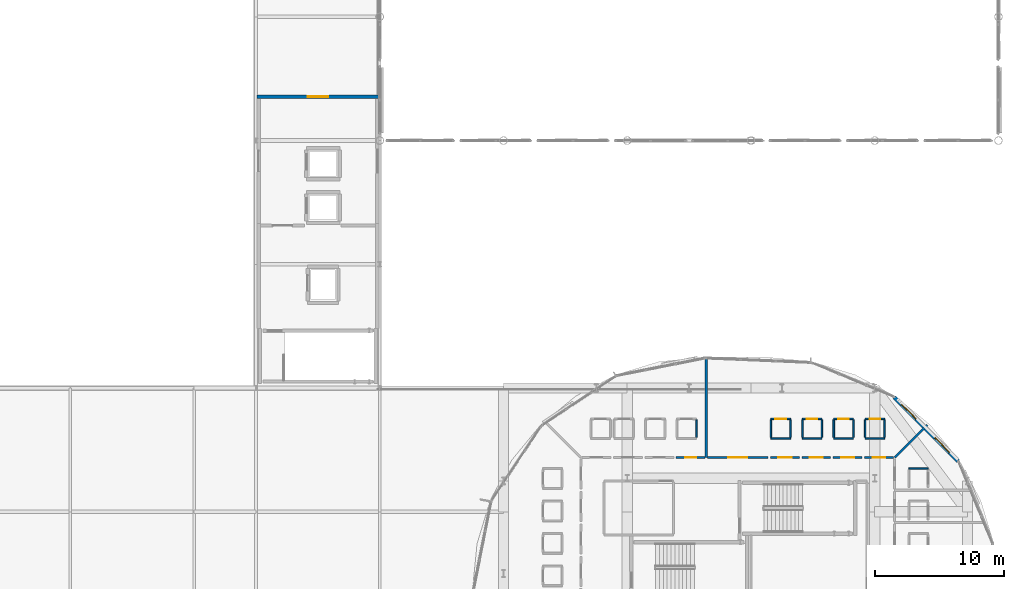
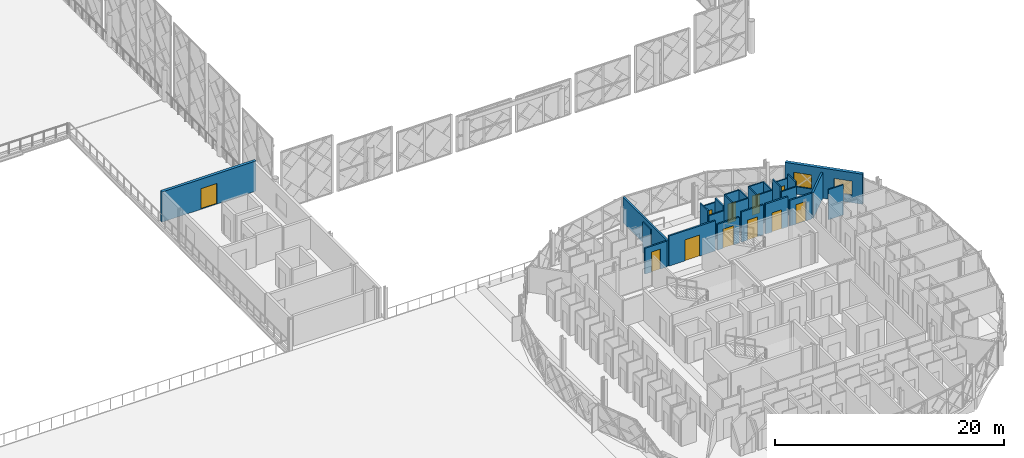
# One storey, part 37 of 53: 28 walls, 11 doors, 2 windows, 13 openings.
"""IFC4 building model written with IfcOpenShell, lengths in metres."""

from ifc_helpers import new_model, si_unit, direction, frame, frame_2d, origin, place, context, subcontext, project, spatial, rectangle, extrude, material, layer, layer_set, type_object, element, fill, save


model = new_model("IFC4")

# Units and contexts
model_context = context("Model", 3, precision=1e-05, world=origin(), true_north=direction((0.0, 1.0)))
body_context = subcontext(model_context, "Body", "Model", "MODEL_VIEW")
ifc_project = project(units=[si_unit("LENGTHUNIT", "METRE"), si_unit("AREAUNIT", "SQUARE_METRE"), si_unit("VOLUMEUNIT", "CUBIC_METRE"), si_unit("PLANEANGLEUNIT", "RADIAN"), si_unit("MASSUNIT", "GRAM", prefix="KILO")], contexts=[model_context])

# Site, building, storey
site_placement = place(None, origin())
site = spatial("IfcSite", under=ifc_project, at=site_placement, CompositionType="ELEMENT")
building_placement = place(site_placement, origin())
building = spatial("IfcBuilding", under=site, at=building_placement, Name="Zevrakil Square Congress Hotel", CompositionType="ELEMENT")
storey_placement = place(building_placement, frame((0.0, 0.0, 14.699951171875)))
storey = spatial("IfcBuildingStorey", under=building, at=storey_placement, Name="L04", CompositionType="ELEMENT", Elevation=14.699951171875)

# Wall, opening, door
ifc_material_1 = material(Name="Gypsum Acoustic Stud Partition")
ifc_layer_1 = layer(ifc_material_1, 0.159912109375)
ifc_layer_set_1 = layer_set([ifc_layer_1], Name="Gypsum Acoustic Stud Partition")
wall_type_1 = type_object("IfcWallType", Name="WAL-CORR-160", PredefinedType="PARTITIONING", material=ifc_layer_set_1)
wall_1_placement = place(storey_placement, frame((143.034912109375, 40.199951171875, 0.0), z_axis=(0.0, 0.0, 1.0), x_axis=(1.0, 0.0, 0.0)))
wall_1 = element("IfcWall", 1, at=wall_1_placement, inside=storey, type_object=wall_type_1, Name="L04 interior partition PW-L04-0259", PredefinedType="PARTITIONING", context=body_context, shape_type="SweptSolid", body=[
    extrude(rectangle(XDim=4.68017578125, YDim=0.159912109375, at=frame_2d((2.340087890625, 0.0))), origin(), (0.0, 0.0, 1.0), 3.215087890625),
])
opening_1_placement = place(wall_1_placement, frame((1.590087890625, 0.0, 0.0)))
opening_1 = element("IfcOpeningElement", 2, at=opening_1_placement, cuts=wall_1, Name="Opening ID-03", PredefinedType="OPENING", context=body_context, shape_type="SweptSolid", body=[
    extrude(rectangle(XDim=1.5, YDim=2.25, at=frame_2d((0.75, 1.125))), frame((0.0, 0.08984375, 0.0), z_axis=(0.0, -1.0, 0.0), x_axis=(1.0, 0.0, 0.0)), (0.0, 0.0, 1.0), 0.179931640625),
])
ifc_material_2 = material(Name="Acoustic Double Meeting Door")
door_type_1 = type_object("IfcDoorType", Name="DOR-MTG-150", OperationType="NOTDEFINED", PredefinedType="DOOR", material=ifc_material_2)
door_1_placement = place(opening_1_placement, origin())
door_1 = element("IfcDoor", 3, at=door_1_placement, inside=storey, type_object=door_type_1, Name="L04 interior door 108", OperationType="DOUBLE_DOOR_SINGLE_SWING", OverallHeight=2.25, OverallWidth=1.5, PredefinedType="DOOR", context=body_context, shape_type="SweptSolid", body=[
    extrude(rectangle(XDim=1.5, YDim=2.25, at=frame_2d((0.75, 1.125))), frame((0.0, 0.02490234375, 0.0), z_axis=(0.0, -1.0, 0.0), x_axis=(1.0, 0.0, 0.0)), (0.0, 0.0, 1.0), 0.050048828125),
])
fill(opening_1, door_1)

wall_2_placement = place(storey_placement, frame((155.2099609375, 40.199951171875, 0.0), z_axis=(0.0, 0.0, 1.0), x_axis=(1.0, 0.0, 0.0)))
wall_2 = element("IfcWall", 4, at=wall_2_placement, inside=storey, type_object=wall_type_1, Name="L04 interior partition PW-L04-0363", PredefinedType="PARTITIONING", context=body_context, shape_type="SweptSolid", body=[
    extrude(rectangle(XDim=2.2451171875, YDim=0.159912109375, at=frame_2d((1.12255859375, 0.0))), origin(), (0.0, 0.0, 1.0), 2.75),
])
opening_2_placement = place(wall_2_placement, frame((0.630615234375, 0.0, 0.0)))
opening_2 = element("IfcOpeningElement", 5, at=opening_2_placement, cuts=wall_2, Name="Opening ID-H12", PredefinedType="OPENING", context=body_context, shape_type="SweptSolid", body=[
    extrude(rectangle(XDim=0.98388671875, YDim=2.070068359375, at=frame_2d((0.491943359375, 1.03515625))), frame((0.0, 0.08984375, 0.0), z_axis=(0.0, -1.0, 0.0), x_axis=(1.0, 0.0, 0.0)), (0.0, 0.0, 1.0), 0.179931640625),
])
ifc_material_3 = material(Name="Acoustic Timber Fire Door", Category="wood")
door_type_2 = type_object("IfcDoorType", Name="DOR-INT-H12", OperationType="NOTDEFINED", PredefinedType="DOOR", material=ifc_material_3)
door_2_placement = place(opening_2_placement, origin())
door_2 = element("IfcDoor", 6, at=door_2_placement, inside=storey, type_object=door_type_2, Name="L04 interior door 149", OperationType="SINGLE_SWING_LEFT", OverallHeight=2.070068359375, OverallWidth=0.98388671875, PredefinedType="DOOR", context=body_context, shape_type="SweptSolid", body=[
    extrude(rectangle(XDim=0.98388671875, YDim=2.070068359375, at=frame_2d((0.491943359375, 1.03515625))), frame((0.0, 0.02490234375, 0.0), z_axis=(0.0, -1.0, 0.0), x_axis=(1.0, 0.0, 0.0)), (0.0, 0.0, 1.0), 0.050048828125),
])
fill(opening_2, door_2)

wall_3_placement = place(storey_placement, frame((152.77490234375, 40.199951171875, 0.0), z_axis=(0.0, 0.0, 1.0), x_axis=(1.0, 0.0, 0.0)))
wall_3 = element("IfcWall", 7, at=wall_3_placement, inside=storey, type_object=wall_type_1, Name="L04 interior partition PW-L04-0368", PredefinedType="PARTITIONING", context=body_context, shape_type="SweptSolid", body=[
    extrude(rectangle(XDim=2.2451171875, YDim=0.159912109375, at=frame_2d((1.12255859375, 0.0))), origin(), (0.0, 0.0, 1.0), 3.215087890625),
])
opening_3_placement = place(wall_3_placement, frame((0.6201171875, 0.0, 0.0)))
opening_3 = element("IfcOpeningElement", 8, at=opening_3_placement, cuts=wall_3, Name="Opening ID-G07", PredefinedType="OPENING", context=body_context, shape_type="SweptSolid", body=[
    extrude(rectangle(XDim=1.0048828125, YDim=2.050048828125, at=frame_2d((0.50244140625, 1.02490234375))), frame((0.0, 0.08984375, 0.0), z_axis=(0.0, -1.0, 0.0), x_axis=(1.0, 0.0, 0.0)), (0.0, 0.0, 1.0), 0.179931640625),
])
ifc_material_4 = material(Name="Acoustic Timber Fire Door", Category="wood")
door_type_3 = type_object("IfcDoorType", Name="DOR-INT-G07", OperationType="NOTDEFINED", PredefinedType="DOOR", material=ifc_material_4)
door_3_placement = place(opening_3_placement, origin())
door_3 = element("IfcDoor", 9, at=door_3_placement, inside=storey, type_object=door_type_3, Name="L04 interior door 151", OperationType="SINGLE_SWING_LEFT", OverallHeight=2.050048828125, OverallWidth=1.0048828125, PredefinedType="DOOR", context=body_context, shape_type="SweptSolid", body=[
    extrude(rectangle(XDim=1.0048828125, YDim=2.050048828125, at=frame_2d((0.50244140625, 1.02490234375))), frame((0.0, 0.02490234375, 0.0), z_axis=(0.0, -1.0, 0.0), x_axis=(1.0, 0.0, 0.0)), (0.0, 0.0, 1.0), 0.050048828125),
])
fill(opening_3, door_3)

wall_4_placement = place(storey_placement, frame((150.340087890625, 40.199951171875, 0.0), z_axis=(0.0, 0.0, 1.0), x_axis=(1.0, 0.0, 0.0)))
wall_4 = element("IfcWall", 10, at=wall_4_placement, inside=storey, type_object=wall_type_1, Name="L04 interior partition PW-L04-0373", PredefinedType="PARTITIONING", context=body_context, shape_type="SweptSolid", body=[
    extrude(rectangle(XDim=2.244873046875, YDim=0.159912109375, at=frame_2d((1.12255859375, 0.0))), origin(), (0.0, 0.0, 1.0), 3.215087890625),
])
opening_4_placement = place(wall_4_placement, frame((0.618408203125, 0.0, 0.0)))
opening_4 = element("IfcOpeningElement", 11, at=opening_4_placement, cuts=wall_4, Name="Opening ID-H14", PredefinedType="OPENING", context=body_context, shape_type="SweptSolid", body=[
    extrude(rectangle(XDim=1.008056640625, YDim=2.1298828125, at=frame_2d((0.50390625, 1.06494140625))), frame((0.0, 0.08984375, 0.0), z_axis=(0.0, -1.0, 0.0), x_axis=(1.0, 0.0, 0.0)), (0.0, 0.0, 1.0), 0.179931640625),
])
ifc_material_5 = material(Name="Acoustic Timber Fire Door", Category="wood")
door_type_4 = type_object("IfcDoorType", Name="DOR-INT-H14", OperationType="NOTDEFINED", PredefinedType="DOOR", material=ifc_material_5)
door_4_placement = place(opening_4_placement, origin())
door_4 = element("IfcDoor", 12, at=door_4_placement, inside=storey, type_object=door_type_4, Name="L04 interior door 153", OperationType="SINGLE_SWING_LEFT", OverallHeight=2.1298828125, OverallWidth=1.008056640625, PredefinedType="DOOR", context=body_context, shape_type="SweptSolid", body=[
    extrude(rectangle(XDim=1.008056640625, YDim=2.1298828125, at=frame_2d((0.50390625, 1.06494140625))), frame((0.0, 0.02490234375, 0.0), z_axis=(0.0, -1.0, 0.0), x_axis=(1.0, 0.0, 0.0)), (0.0, 0.0, 1.0), 0.050048828125),
])
fill(opening_4, door_4)

wall_5_placement = place(storey_placement, frame((147.905029296875, 40.199951171875, 0.0), z_axis=(0.0, 0.0, 1.0), x_axis=(1.0, 0.0, 0.0)))
wall_5 = element("IfcWall", 13, at=wall_5_placement, inside=storey, type_object=wall_type_1, Name="L04 interior partition PW-L04-0378", PredefinedType="PARTITIONING", context=body_context, shape_type="SweptSolid", body=[
    extrude(rectangle(XDim=2.244873046875, YDim=0.159912109375, at=frame_2d((1.12255859375, 0.0))), origin(), (0.0, 0.0, 1.0), 2.75),
])
opening_5_placement = place(wall_5_placement, frame((0.594970703125, 0.0, 0.0)))
opening_5 = element("IfcOpeningElement", 14, at=opening_5_placement, cuts=wall_5, Name="Opening ID-G09", PredefinedType="OPENING", context=body_context, shape_type="SweptSolid", body=[
    extrude(rectangle(XDim=1.054931640625, YDim=2.050048828125, at=frame_2d((0.52734375, 1.02490234375))), frame((0.0, 0.08984375, 0.0), z_axis=(0.0, -1.0, 0.0), x_axis=(1.0, 0.0, 0.0)), (0.0, 0.0, 1.0), 0.179931640625),
])
ifc_material_6 = material(Name="Acoustic Timber Fire Door", Category="wood")
door_type_5 = type_object("IfcDoorType", Name="DOR-INT-G09", OperationType="NOTDEFINED", PredefinedType="DOOR", material=ifc_material_6)
door_5_placement = place(opening_5_placement, origin())
door_5 = element("IfcDoor", 15, at=door_5_placement, inside=storey, type_object=door_type_5, Name="L04 interior door 155", OperationType="SINGLE_SWING_LEFT", OverallHeight=2.050048828125, OverallWidth=1.054931640625, PredefinedType="DOOR", context=body_context, shape_type="SweptSolid", body=[
    extrude(rectangle(XDim=1.054931640625, YDim=2.050048828125, at=frame_2d((0.52734375, 1.02490234375))), frame((0.0, 0.02490234375, 0.0), z_axis=(0.0, -1.0, 0.0), x_axis=(1.0, 0.0, 0.0)), (0.0, 0.0, 1.0), 0.050048828125),
])
fill(opening_5, door_5)

wall_6_placement = place(storey_placement, frame((140.60009765625, 40.199951171875, 0.0), z_axis=(0.0, 0.0, 1.0), x_axis=(1.0, 0.0, 0.0)))
wall_6 = element("IfcWall", 16, at=wall_6_placement, inside=storey, type_object=wall_type_1, Name="L04 interior partition PW-L04-0383", PredefinedType="PARTITIONING", context=body_context, shape_type="SweptSolid", body=[
    extrude(rectangle(XDim=2.244873046875, YDim=0.159912109375, at=frame_2d((1.12255859375, 0.0))), origin(), (0.0, 0.0, 1.0), 2.75),
])
opening_6_placement = place(wall_6_placement, frame((0.6904296875, 0.0, 0.0)))
opening_6 = element("IfcOpeningElement", 17, at=opening_6_placement, cuts=wall_6, Name="Opening ID-H02", PredefinedType="OPENING", context=body_context, shape_type="SweptSolid", body=[
    extrude(rectangle(XDim=0.864013671875, YDim=2.1298828125, at=frame_2d((0.43212890625, 1.06494140625))), frame((0.0, 0.08984375, 0.0), z_axis=(0.0, -1.0, 0.0), x_axis=(1.0, 0.0, 0.0)), (0.0, 0.0, 1.0), 0.179931640625),
])
ifc_material_7 = material(Name="Acoustic Timber Fire Door", Category="wood")
door_type_6 = type_object("IfcDoorType", Name="DOR-INT-H02", OperationType="NOTDEFINED", PredefinedType="DOOR", material=ifc_material_7)
door_6_placement = place(opening_6_placement, origin())
door_6 = element("IfcDoor", 18, at=door_6_placement, inside=storey, type_object=door_type_6, Name="L04 interior door 157", OperationType="SINGLE_SWING_LEFT", OverallHeight=2.1298828125, OverallWidth=0.864013671875, PredefinedType="DOOR", context=body_context, shape_type="SweptSolid", body=[
    extrude(rectangle(XDim=0.864013671875, YDim=2.1298828125, at=frame_2d((0.43212890625, 1.06494140625))), frame((0.0, 0.02490234375, 0.0), z_axis=(0.0, -1.0, 0.0), x_axis=(1.0, 0.0, 0.0)), (0.0, 0.0, 1.0), 0.050048828125),
])
fill(opening_6, door_6)

# Walls
ifc_material_8 = material(Name="Moisture-Resistant Gypsum Partition")
ifc_layer_2 = layer(ifc_material_8, 0.1201171875)
ifc_layer_set_2 = layer_set([ifc_layer_2], Name="Moisture-Resistant Gypsum Partition")
wall_type_2 = type_object("IfcWallType", Name="WAL-ENS-120", PredefinedType="PARTITIONING", material=ifc_layer_set_2)
wall_7_placement = place(storey_placement, frame((158.64990234375, 39.340087890625, 0.0), z_axis=(0.0, 0.0, 1.0), x_axis=(1.0, 0.0, 0.0)))
element("IfcWall", 19, at=wall_7_placement, inside=storey, type_object=wall_type_2, Name="L04 interior partition PW-L04-0359", PredefinedType="PARTITIONING", context=body_context, shape_type="SweptSolid", body=[
    extrude(rectangle(XDim=1.5, YDim=0.1201171875, at=frame_2d((0.75, 0.0))), origin(), (0.0, 0.0, 1.0), 3.215087890625),
])
wall_8_placement = place(storey_placement, frame((155.2548828125, 41.699951171875, 0.0), z_axis=(0.0, 0.0, 1.0), x_axis=(1.0, 0.0, 0.0)))
element("IfcWall", 20, at=wall_8_placement, inside=storey, type_object=wall_type_2, Name="L04 interior partition PW-L04-0364", PredefinedType="PARTITIONING", context=body_context, shape_type="SweptSolid", body=[
    extrude(rectangle(XDim=1.52001953125, YDim=0.1201171875, at=frame_2d((0.760009765625, 0.0))), origin(), (0.0, 0.0, 1.0), 2.75),
])

# Wall, opening, door
wall_9_placement = place(storey_placement, frame((155.2548828125, 43.199951171875, 0.0), z_axis=(0.0, 0.0, 1.0), x_axis=(1.0, 0.0, 0.0)))
wall_9 = element("IfcWall", 21, at=wall_9_placement, inside=storey, type_object=wall_type_2, Name="L04 interior partition PW-L04-0365", PredefinedType="PARTITIONING", context=body_context, shape_type="SweptSolid", body=[
    extrude(rectangle(XDim=1.52001953125, YDim=0.1201171875, at=frame_2d((0.760009765625, 0.0))), origin(), (0.0, 0.0, 1.0), 2.75),
])
opening_7_placement = place(wall_9_placement, frame((0.35009765625, 0.0, 0.0)))
opening_7 = element("IfcOpeningElement", 22, at=opening_7_placement, cuts=wall_9, Name="Opening ID-11", PredefinedType="OPENING", context=body_context, shape_type="SweptSolid", body=[
    extrude(rectangle(XDim=0.820068359375, YDim=2.080078125, at=frame_2d((0.41015625, 1.0400390625))), frame((0.0, 0.070068359375, 0.0), z_axis=(0.0, -1.0, 0.0), x_axis=(1.0, 0.0, 0.0)), (0.0, 0.0, 1.0), 0.14013671875),
])
ifc_material_9 = material(Name="Acoustic Timber Door", Category="wood")
door_type_7 = type_object("IfcDoorType", Name="DOR-INT-V01", OperationType="NOTDEFINED", PredefinedType="DOOR", material=ifc_material_9)
door_7_placement = place(opening_7_placement, origin())
door_7 = element("IfcDoor", 23, at=door_7_placement, inside=storey, type_object=door_type_7, Name="L04 interior door 150", OperationType="SINGLE_SWING_RIGHT", OverallHeight=2.080078125, OverallWidth=0.820068359375, PredefinedType="DOOR", context=body_context, shape_type="SweptSolid", body=[
    extrude(rectangle(XDim=0.820068359375, YDim=2.080078125, at=frame_2d((0.41015625, 1.0400390625))), frame((0.0, 0.02490234375, 0.0), z_axis=(0.0, -1.0, 0.0), x_axis=(1.0, 0.0, 0.0)), (0.0, 0.0, 1.0), 0.050048828125),
])
fill(opening_7, door_7)

# Walls
for number, where, z_axis, x_axis, name in (
    (24, (155.2548828125, 41.764892578125, 0.0), (0.0, 0.0, 1.0), (0.0, 1.0, 0.0), "L04 interior partition PW-L04-0366"),
    (25, (156.77490234375, 41.764892578125, 0.0), (0.0, 0.0, 1.0), (0.0, 1.0, 0.0), "L04 interior partition PW-L04-0367"),
):
    element("IfcWall", number, at=place(storey_placement, frame(where, z_axis=z_axis, x_axis=x_axis)), inside=storey, type_object=wall_type_2, Name=name, PredefinedType="PARTITIONING", context=body_context, shape_type="SweptSolid", body=[
        extrude(rectangle(XDim=1.3701171875, YDim=0.1201171875, at=frame_2d((0.68505859375, 0.0))), origin(), (0.0, 0.0, 1.0), 3.215087890625),
    ])
wall_10_placement = place(storey_placement, frame((152.820068359375, 41.699951171875, 0.0), z_axis=(0.0, 0.0, 1.0), x_axis=(1.0, 0.0, 0.0)))
element("IfcWall", 26, at=wall_10_placement, inside=storey, type_object=wall_type_2, Name="L04 interior partition PW-L04-0369", PredefinedType="PARTITIONING", context=body_context, shape_type="SweptSolid", body=[
    extrude(rectangle(XDim=1.52001953125, YDim=0.1201171875, at=frame_2d((0.760009765625, 0.0))), origin(), (0.0, 0.0, 1.0), 3.215087890625),
])

# Wall, opening, door
wall_11_placement = place(storey_placement, frame((152.820068359375, 43.199951171875, 0.0), z_axis=(0.0, 0.0, 1.0), x_axis=(1.0, 0.0, 0.0)))
wall_11 = element("IfcWall", 27, at=wall_11_placement, inside=storey, type_object=wall_type_2, Name="L04 interior partition PW-L04-0370", PredefinedType="PARTITIONING", context=body_context, shape_type="SweptSolid", body=[
    extrude(rectangle(XDim=1.52001953125, YDim=0.1201171875, at=frame_2d((0.760009765625, 0.0))), origin(), (0.0, 0.0, 1.0), 3.215087890625),
])
opening_8_placement = place(wall_11_placement, frame((0.35009765625, 0.0, 0.0)))
opening_8 = element("IfcOpeningElement", 28, at=opening_8_placement, cuts=wall_11, Name="Opening ID-11", PredefinedType="OPENING", context=body_context, shape_type="SweptSolid", body=[
    extrude(rectangle(XDim=0.820068359375, YDim=2.080078125, at=frame_2d((0.41015625, 1.0400390625))), frame((0.0, 0.070068359375, 0.0), z_axis=(0.0, -1.0, 0.0), x_axis=(1.0, 0.0, 0.0)), (0.0, 0.0, 1.0), 0.14013671875),
])
door_8_placement = place(opening_8_placement, origin())
door_8 = element("IfcDoor", 29, at=door_8_placement, inside=storey, type_object=door_type_7, Name="L04 interior door 152", OperationType="SINGLE_SWING_RIGHT", OverallHeight=2.080078125, OverallWidth=0.820068359375, PredefinedType="DOOR", context=body_context, shape_type="SweptSolid", body=[
    extrude(rectangle(XDim=0.820068359375, YDim=2.080078125, at=frame_2d((0.41015625, 1.0400390625))), frame((0.0, 0.02490234375, 0.0), z_axis=(0.0, -1.0, 0.0), x_axis=(1.0, 0.0, 0.0)), (0.0, 0.0, 1.0), 0.050048828125),
])
fill(opening_8, door_8)

# Walls
for number, where, z_axis, x_axis, name in (
    (30, (152.820068359375, 41.764892578125, 0.0), (0.0, 0.0, 1.0), (0.0, 1.0, 0.0), "L04 interior partition PW-L04-0371"),
    (31, (154.340087890625, 41.764892578125, 0.0), (0.0, 0.0, 1.0), (0.0, 1.0, 0.0), "L04 interior partition PW-L04-0372"),
):
    element("IfcWall", number, at=place(storey_placement, frame(where, z_axis=z_axis, x_axis=x_axis)), inside=storey, type_object=wall_type_2, Name=name, PredefinedType="PARTITIONING", context=body_context, shape_type="SweptSolid", body=[
        extrude(rectangle(XDim=1.3701171875, YDim=0.1201171875, at=frame_2d((0.68505859375, 0.0))), origin(), (0.0, 0.0, 1.0), 3.215087890625),
    ])
wall_12_placement = place(storey_placement, frame((150.385009765625, 41.699951171875, 0.0), z_axis=(0.0, 0.0, 1.0), x_axis=(1.0, 0.0, 0.0)))
element("IfcWall", 32, at=wall_12_placement, inside=storey, type_object=wall_type_2, Name="L04 interior partition PW-L04-0374", PredefinedType="PARTITIONING", context=body_context, shape_type="SweptSolid", body=[
    extrude(rectangle(XDim=1.52001953125, YDim=0.1201171875, at=frame_2d((0.760009765625, 0.0))), origin(), (0.0, 0.0, 1.0), 3.215087890625),
])

# Wall, opening, door
wall_13_placement = place(storey_placement, frame((150.385009765625, 43.199951171875, 0.0), z_axis=(0.0, 0.0, 1.0), x_axis=(1.0, 0.0, 0.0)))
wall_13 = element("IfcWall", 33, at=wall_13_placement, inside=storey, type_object=wall_type_2, Name="L04 interior partition PW-L04-0375", PredefinedType="PARTITIONING", context=body_context, shape_type="SweptSolid", body=[
    extrude(rectangle(XDim=1.52001953125, YDim=0.1201171875, at=frame_2d((0.760009765625, 0.0))), origin(), (0.0, 0.0, 1.0), 3.215087890625),
])
opening_9_placement = place(wall_13_placement, frame((0.35009765625, 0.0, 0.0)))
opening_9 = element("IfcOpeningElement", 34, at=opening_9_placement, cuts=wall_13, Name="Opening ID-11", PredefinedType="OPENING", context=body_context, shape_type="SweptSolid", body=[
    extrude(rectangle(XDim=0.820068359375, YDim=2.080078125, at=frame_2d((0.41015625, 1.0400390625))), frame((0.0, 0.070068359375, 0.0), z_axis=(0.0, -1.0, 0.0), x_axis=(1.0, 0.0, 0.0)), (0.0, 0.0, 1.0), 0.14013671875),
])
door_9_placement = place(opening_9_placement, origin())
door_9 = element("IfcDoor", 35, at=door_9_placement, inside=storey, type_object=door_type_7, Name="L04 interior door 154", OperationType="SINGLE_SWING_RIGHT", OverallHeight=2.080078125, OverallWidth=0.820068359375, PredefinedType="DOOR", context=body_context, shape_type="SweptSolid", body=[
    extrude(rectangle(XDim=0.820068359375, YDim=2.080078125, at=frame_2d((0.41015625, 1.0400390625))), frame((0.0, 0.02490234375, 0.0), z_axis=(0.0, -1.0, 0.0), x_axis=(1.0, 0.0, 0.0)), (0.0, 0.0, 1.0), 0.050048828125),
])
fill(opening_9, door_9)

# Walls
for number, where, z_axis, x_axis, name in (
    (36, (150.385009765625, 41.764892578125, 0.0), (0.0, 0.0, 1.0), (0.0, 1.0, 0.0), "L04 interior partition PW-L04-0376"),
    (37, (151.905029296875, 41.764892578125, 0.0), (0.0, 0.0, 1.0), (0.0, 1.0, 0.0), "L04 interior partition PW-L04-0377"),
):
    element("IfcWall", number, at=place(storey_placement, frame(where, z_axis=z_axis, x_axis=x_axis)), inside=storey, type_object=wall_type_2, Name=name, PredefinedType="PARTITIONING", context=body_context, shape_type="SweptSolid", body=[
        extrude(rectangle(XDim=1.3701171875, YDim=0.1201171875, at=frame_2d((0.68505859375, 0.0))), origin(), (0.0, 0.0, 1.0), 3.215087890625),
    ])
wall_14_placement = place(storey_placement, frame((147.949951171875, 41.699951171875, 0.0), z_axis=(0.0, 0.0, 1.0), x_axis=(1.0, 0.0, 0.0)))
element("IfcWall", 38, at=wall_14_placement, inside=storey, type_object=wall_type_2, Name="L04 interior partition PW-L04-0379", PredefinedType="PARTITIONING", context=body_context, shape_type="SweptSolid", body=[
    extrude(rectangle(XDim=1.52001953125, YDim=0.1201171875, at=frame_2d((0.760009765625, 0.0))), origin(), (0.0, 0.0, 1.0), 2.75),
])

# Wall, opening, door
wall_15_placement = place(storey_placement, frame((147.949951171875, 43.199951171875, 0.0), z_axis=(0.0, 0.0, 1.0), x_axis=(1.0, 0.0, 0.0)))
wall_15 = element("IfcWall", 39, at=wall_15_placement, inside=storey, type_object=wall_type_2, Name="L04 interior partition PW-L04-0380", PredefinedType="PARTITIONING", context=body_context, shape_type="SweptSolid", body=[
    extrude(rectangle(XDim=1.52001953125, YDim=0.1201171875, at=frame_2d((0.760009765625, 0.0))), origin(), (0.0, 0.0, 1.0), 2.75),
])
opening_10_placement = place(wall_15_placement, frame((0.35009765625, 0.0, 0.0)))
opening_10 = element("IfcOpeningElement", 40, at=opening_10_placement, cuts=wall_15, Name="Opening ID-11", PredefinedType="OPENING", context=body_context, shape_type="SweptSolid", body=[
    extrude(rectangle(XDim=0.820068359375, YDim=2.080078125, at=frame_2d((0.41015625, 1.0400390625))), frame((0.0, 0.070068359375, 0.0), z_axis=(0.0, -1.0, 0.0), x_axis=(1.0, 0.0, 0.0)), (0.0, 0.0, 1.0), 0.14013671875),
])
door_10_placement = place(opening_10_placement, origin())
door_10 = element("IfcDoor", 41, at=door_10_placement, inside=storey, type_object=door_type_7, Name="L04 interior door 156", OperationType="SINGLE_SWING_RIGHT", OverallHeight=2.080078125, OverallWidth=0.820068359375, PredefinedType="DOOR", context=body_context, shape_type="SweptSolid", body=[
    extrude(rectangle(XDim=0.820068359375, YDim=2.080078125, at=frame_2d((0.41015625, 1.0400390625))), frame((0.0, 0.02490234375, 0.0), z_axis=(0.0, -1.0, 0.0), x_axis=(1.0, 0.0, 0.0)), (0.0, 0.0, 1.0), 0.050048828125),
])
fill(opening_10, door_10)

# Walls
for number, where, z_axis, x_axis, name in (
    (42, (147.949951171875, 41.764892578125, 0.0), (0.0, 0.0, 1.0), (0.0, 1.0, 0.0), "L04 interior partition PW-L04-0381"),
    (43, (149.469970703125, 41.764892578125, 0.0), (0.0, 0.0, 1.0), (0.0, 1.0, 0.0), "L04 interior partition PW-L04-0382"),
    (44, (142.1650390625, 41.764892578125, 0.0), (0.0, 0.0, 1.0), (0.0, 1.0, 0.0), "L04 interior partition PW-L04-0387"),
):
    element("IfcWall", number, at=place(storey_placement, frame(where, z_axis=z_axis, x_axis=x_axis)), inside=storey, type_object=wall_type_2, Name=name, PredefinedType="PARTITIONING", context=body_context, shape_type="SweptSolid", body=[
        extrude(rectangle(XDim=1.3701171875, YDim=0.1201171875, at=frame_2d((0.68505859375, 0.0))), origin(), (0.0, 0.0, 1.0), 3.215087890625),
    ])

# Wall, openings, windows
ifc_material_10 = material(Name="Precast concrete C40/50", Category="concrete")
ifc_layer_3 = layer(ifc_material_10, 0.300048828125)
ifc_layer_set_3 = layer_set([ifc_layer_3], Name="Precast concrete C40/50")
wall_type_3 = type_object("IfcWallType", Name="WAL-EXT-DRM-300", PredefinedType="SOLIDWALL", material=ifc_layer_set_3)
wall_16_placement = place(storey_placement, frame((162.48388671875, 39.930419921875, 0.0), z_axis=(0.0, 0.0, 1.0), x_axis=(-0.707106781187, 0.707106781187, 0.0)))
wall_16 = element("IfcWall", 45, at=wall_16_placement, inside=storey, type_object=wall_type_3, Name="L04 exterior GRC wall EW-L04-0128", PredefinedType="SOLIDWALL", context=body_context, shape_type="SweptSolid", body=[
    extrude(rectangle(XDim=7.00537109375, YDim=0.300048828125, at=frame_2d((3.502685546875, 0.0))), origin(), (0.0, 0.0, 1.0), 3.215087890625),
])
opening_11_placement = place(wall_16_placement, frame((0.959716796875, 0.0, 0.800048828125)))
opening_11 = element("IfcOpeningElement", 46, at=opening_11_placement, cuts=wall_16, Name="Opening WN-09", PredefinedType="OPENING", context=body_context, shape_type="SweptSolid", body=[
    extrude(rectangle(XDim=1.60009765625, YDim=1.5, at=frame_2d((0.800048828125, 0.75))), frame((0.0, 0.16015625, 0.0), z_axis=(0.0, -1.0, 0.0), x_axis=(1.0, 0.0, 0.0)), (0.0, 0.0, 1.0), 0.320068359375),
])
opening_12_placement = place(wall_16_placement, frame((4.62255859375, 0.0, 0.800048828125)))
opening_12 = element("IfcOpeningElement", 47, at=opening_12_placement, cuts=wall_16, Name="Opening WN-09", PredefinedType="OPENING", context=body_context, shape_type="SweptSolid", body=[
    extrude(rectangle(XDim=1.60009765625, YDim=1.5, at=frame_2d((0.800048828125, 0.75))), frame((0.0, 0.16015625, 0.0), z_axis=(0.0, -1.0, 0.0), x_axis=(1.0, 0.0, 0.0)), (0.0, 0.0, 1.0), 0.320068359375),
])
ifc_material_11 = material(Name="Low-E Solar Control Double Glazing", Category="glass")
window_type = type_object("IfcWindowType", Name="WIN-EXT-09", PartitioningType="SINGLE_PANEL", PredefinedType="WINDOW", material=ifc_material_11)
window_1_placement = place(opening_11_placement, origin())
window_1 = element("IfcWindow", 48, at=window_1_placement, inside=storey, type_object=window_type, Name="L04 hotel guestroom low-E window 100", OverallHeight=1.5, OverallWidth=1.60009765625, PartitioningType="SINGLE_PANEL", PredefinedType="WINDOW", context=body_context, shape_type="SweptSolid", body=[
    extrude(rectangle(XDim=1.60009765625, YDim=1.5, at=frame_2d((0.800048828125, 0.75))), frame((0.0, 0.030029296875, 0.0), z_axis=(0.0, -1.0, 0.0), x_axis=(1.0, 0.0, 0.0)), (0.0, 0.0, 1.0), 0.06005859375),
])
fill(opening_11, window_1)
window_2_placement = place(opening_12_placement, origin())
window_2 = element("IfcWindow", 49, at=window_2_placement, inside=storey, type_object=window_type, Name="L04 hotel guestroom low-E window 101", OverallHeight=1.5, OverallWidth=1.60009765625, PartitioningType="SINGLE_PANEL", PredefinedType="WINDOW", context=body_context, shape_type="SweptSolid", body=[
    extrude(rectangle(XDim=1.60009765625, YDim=1.5, at=frame_2d((0.800048828125, 0.75))), frame((0.0, 0.030029296875, 0.0), z_axis=(0.0, -1.0, 0.0), x_axis=(1.0, 0.0, 0.0)), (0.0, 0.0, 1.0), 0.06005859375),
])
fill(opening_12, window_2)

# Wall, opening, door
ifc_material_12 = material(Name="Precast concrete C40/50", Category="concrete")
ifc_layer_4 = layer(ifc_material_12, 0.280029296875)
ifc_layer_set_4 = layer_set([ifc_layer_4], Name="Precast concrete C40/50")
wall_type_4 = type_object("IfcWallType", Name="WAL-EXT-PAV-280", PredefinedType="SOLIDWALL", material=ifc_layer_set_4)
wall_17_placement = place(storey_placement, frame((108.06005859375, 68.199951171875, 0.0), z_axis=(0.0, 0.0, 1.0), x_axis=(1.0, 0.0, 0.0)))
wall_17 = element("IfcWall", 50, at=wall_17_placement, inside=storey, type_object=wall_type_4, Name="L04 exterior GRC wall EW-L04-0112", PredefinedType="SOLIDWALL", context=body_context, shape_type="SweptSolid", body=[
    extrude(rectangle(XDim=9.47998046875, YDim=0.280029296875, at=frame_2d((4.739990234375, 0.0))), origin(), (0.0, 0.0, 1.0), 3.215087890625),
])
opening_13_placement = place(wall_17_placement, frame((3.93994140625, 0.0, 0.0)))
opening_13 = element("IfcOpeningElement", 51, at=opening_13_placement, cuts=wall_17, Name="Opening TD-02", PredefinedType="OPENING", context=body_context, shape_type="SweptSolid", body=[
    extrude(rectangle(XDim=1.60009765625, YDim=2.199951171875, at=frame_2d((0.800048828125, 1.10009765625))), frame((0.0, 0.14990234375, 0.0), z_axis=(0.0, -1.0, 0.0), x_axis=(1.0, 0.0, 0.0)), (0.0, 0.0, 1.0), 0.300048828125),
])
ifc_material_13 = material(Name="Aluminium Thermal-Break Glazed Door", Category="aluminium")
door_type_8 = type_object("IfcDoorType", Name="DOR-TERR-160", OperationType="NOTDEFINED", PredefinedType="DOOR", material=ifc_material_13)
door_11_placement = place(opening_13_placement, origin())
door_11 = element("IfcDoor", 52, at=door_11_placement, inside=storey, type_object=door_type_8, Name="L04 walkable roof garden terrace door", OperationType="DOUBLE_DOOR_SINGLE_SWING", OverallHeight=2.199951171875, OverallWidth=1.60009765625, PredefinedType="DOOR", context=body_context, shape_type="SweptSolid", body=[
    extrude(rectangle(XDim=1.60009765625, YDim=2.199951171875, at=frame_2d((0.800048828125, 1.10009765625))), frame((0.0, 0.02490234375, 0.0), z_axis=(0.0, -1.0, 0.0), x_axis=(1.0, 0.0, 0.0)), (0.0, 0.0, 1.0), 0.050048828125),
])
fill(opening_13, door_11)

# Walls
ifc_material_14 = material(Name="Gypsum Twin-Stud Party Partition")
ifc_layer_5 = layer(ifc_material_14, 0.179931640625)
ifc_layer_set_5 = layer_set([ifc_layer_5], Name="Gypsum Twin-Stud Party Partition")
wall_type_5 = type_object("IfcWallType", Name="WAL-PARTY-180", PredefinedType="PARTITIONING", material=ifc_layer_set_5)
wall_18_placement = place(storey_placement, frame((157.550048828125, 40.199951171875, 0.0), z_axis=(0.0, 0.0, 1.0), x_axis=(0.707072542873, 0.707141017843, 0.0)))
element("IfcWall", 53, at=wall_18_placement, inside=storey, type_object=wall_type_5, Name="L04 interior partition PW-L04-0362", PredefinedType="PARTITIONING", context=body_context, shape_type="SweptSolid", body=[
    extrude(rectangle(XDim=3.5654296875, YDim=0.179931640625, at=frame_2d((1.78271484375, 0.0))), origin(), (0.0, 0.0, 1.0), 2.760009765625),
])
wall_19_placement = place(storey_placement, frame((142.93994140625, 40.199951171875, 0.0), z_axis=(0.0, 0.0, 1.0), x_axis=(0.0, 1.0, 0.0)))
element("IfcWall", 54, at=wall_19_placement, inside=storey, type_object=wall_type_5, Name="L04 interior partition PW-L04-0388", PredefinedType="PARTITIONING", context=body_context, shape_type="SweptSolid", body=[
    extrude(rectangle(XDim=7.66015625, YDim=0.179931640625, at=frame_2d((3.830078125, 0.0))), origin(), (0.0, 0.0, 1.0), 2.760009765625),
])

save(model, "model.ifc")
